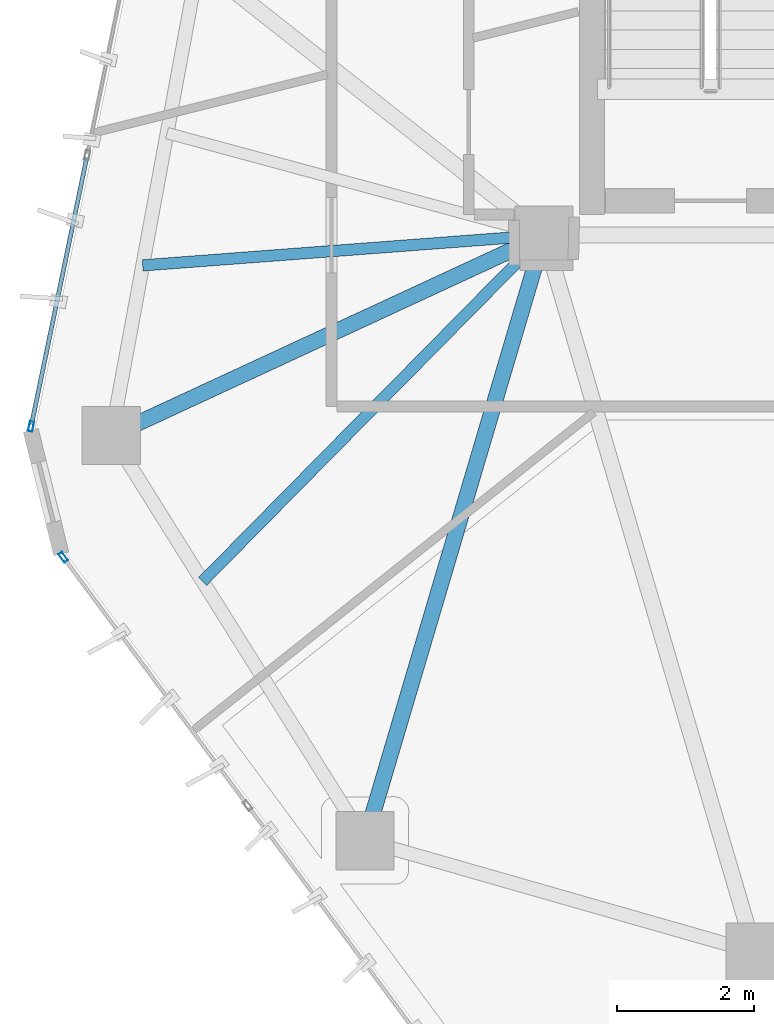
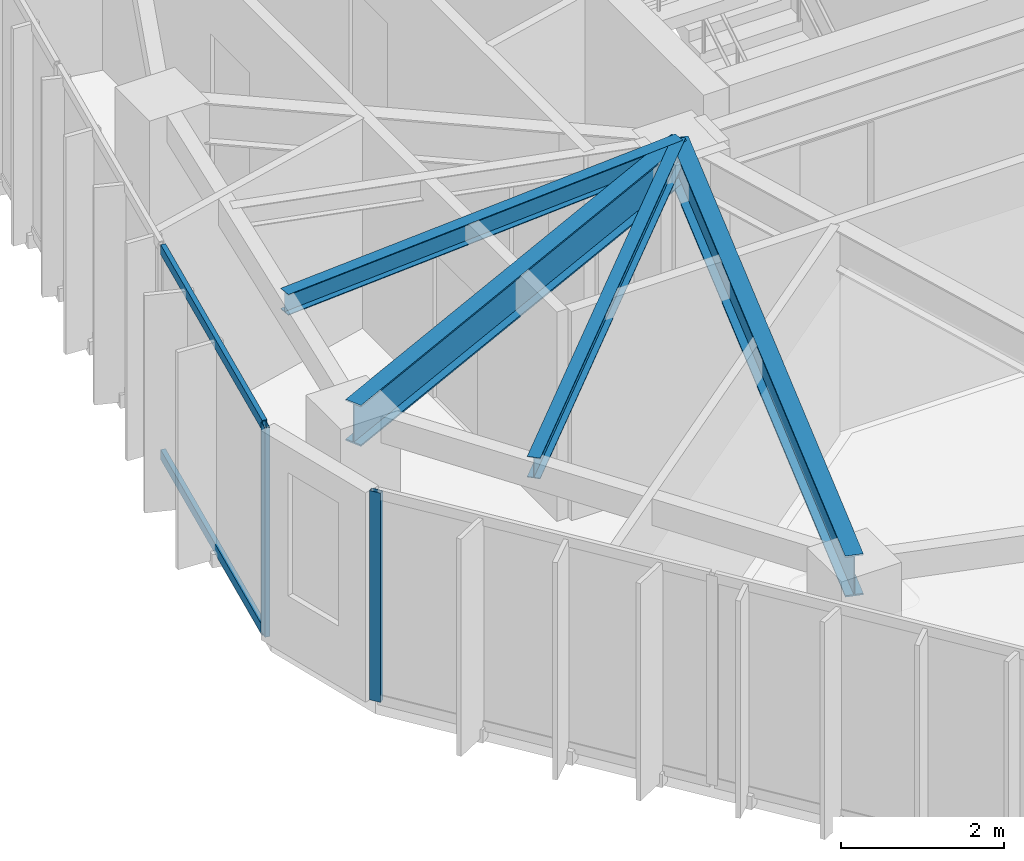
# One storey, part 4 of 20: 4 beams, 4 members, 2 elements without a shape of their own.
"""IFC4 building model written with IfcOpenShell, lengths in metres."""

from ifc_helpers import new_model, si_unit, direction, frame, origin, origin_2d, place, context, subcontext, project, spatial, hollow_rectangle, i_section, extrude, source, transform, mapped, material, layer, layer_set, material_profile, profile_set, type_object, type_shapes, element, aggregate, save


model = new_model("IFC4")

# Units and contexts
model_context = context("Model", 3, precision=1e-05, world=origin(), true_north=direction((0.0, 1.0)))
body_context = subcontext(model_context, "Body", "Model", "MODEL_VIEW")
ifc_project = project(units=[si_unit("LENGTHUNIT", "METRE"), si_unit("AREAUNIT", "SQUARE_METRE"), si_unit("VOLUMEUNIT", "CUBIC_METRE"), si_unit("PLANEANGLEUNIT", "RADIAN"), si_unit("MASSUNIT", "GRAM", prefix="KILO")], contexts=[model_context])

# Site, building, storey
site_placement = place(None, origin())
site = spatial("IfcSite", under=ifc_project, at=site_placement, CompositionType="ELEMENT")
building_placement = place(site_placement, origin())
building = spatial("IfcBuilding", under=site, at=building_placement, Name="Talar Marvaseh", CompositionType="ELEMENT")
storey_placement = place(building_placement, frame((0.0, 0.0, 244.199951171875)))
storey = spatial("IfcBuildingStorey", under=building, at=storey_placement, Name="L64", CompositionType="ELEMENT", Elevation=244.199951171875)

# Beams
ifc_material_1 = material(Name="Steel S355", Category="steel")
ifc_material_profile_1 = material_profile(ifc_material_1, i_section(OverallWidth=0.166015625, OverallDepth=0.31298828125, WebThickness=0.006591796875, FlangeThickness=0.01123046875, at=origin_2d()), Name="W310x45")
ifc_profile_set_1 = profile_set([ifc_material_profile_1], Name="Steel S355")
beam_type_1 = type_object("IfcBeamType", Name="Zone 3 Secondary Floor Joist W310x45", PredefinedType="JOIST", material=ifc_profile_set_1)
beam_1_placement = place(storey_placement, frame((12.845703125, 25.05859375, 2.983642578125), z_axis=(0.997169535009, 0.075185892627, 0.0), x_axis=(-0.075185892627, 0.997169535009, 0.0)))
element("IfcBeam", 1, at=beam_1_placement, inside=storey, type_object=beam_type_1, Name="L64 Zone 3 Secondary Floor Joist W310x45", PredefinedType="JOIST", context=body_context, shape_type="SweptSolid", body=[
    extrude(i_section(OverallWidth=0.166015625, OverallDepth=0.31298828125, WebThickness=0.006591796875, FlangeThickness=0.01123046875, at=origin_2d()), origin(), (0.0, 0.0, 1.0), 5.870849609375),
])
beam_2_placement = place(storey_placement, frame((13.72021484375, 20.44970703125, 2.983642578125), z_axis=(0.702115238584, 0.712063334085, 0.0), x_axis=(-0.712063334085, 0.702115238584, 0.0)))
element("IfcBeam", 2, at=beam_2_placement, inside=storey, type_object=beam_type_1, Name="L64 Zone 3 Secondary Floor Joist W310x45", PredefinedType="JOIST", context=body_context, shape_type="SweptSolid", body=[
    extrude(i_section(OverallWidth=0.166015625, OverallDepth=0.31298828125, WebThickness=0.006591796875, FlangeThickness=0.01123046875, at=origin_2d()), origin(), (0.0, 0.0, 1.0), 7.092529296875),
])
ifc_material_profile_2 = material_profile(ifc_material_1, i_section(OverallWidth=0.22998046875, OverallDepth=0.616943359375, WebThickness=0.01318359375, FlangeThickness=0.022216796875, at=origin_2d()), Name="W610x140")
ifc_profile_set_2 = profile_set([ifc_material_profile_2], Name="Steel S355")
beam_type_2 = type_object("IfcBeamType", Name="Zone 4 Radial Floor Girder W610x140", PredefinedType="BEAM", material=ifc_profile_set_2)
beam_3_placement = place(storey_placement, frame((12.388916015625, 22.576904296875, 2.83154296875), z_axis=(0.907394527995, 0.420279871709, 0.0), x_axis=(-0.420279871709, 0.907394527995, 0.0)))
element("IfcBeam", 3, at=beam_3_placement, inside=storey, type_object=beam_type_2, Name="L64 Zone 4 Radial Floor Girder W610x140", PredefinedType="BEAM", context=body_context, shape_type="SweptSolid", body=[
    extrude(i_section(OverallWidth=0.22998046875, OverallDepth=0.616943359375, WebThickness=0.01318359375, FlangeThickness=0.022216796875, at=origin_2d()), origin(), (0.0, 0.0, 1.0), 6.955078125),
])
beam_4_placement = place(storey_placement, frame((16.0869140625, 16.66796875, 2.83154296875), z_axis=(0.283702937759, 0.958912218666, 0.0), x_axis=(-0.958912218666, 0.283702937759, 0.0)))
element("IfcBeam", 4, at=beam_4_placement, inside=storey, type_object=beam_type_2, Name="L64 Zone 4 Radial Floor Girder W610x140", PredefinedType="BEAM", context=body_context, shape_type="SweptSolid", body=[
    extrude(i_section(OverallWidth=0.22998046875, OverallDepth=0.616943359375, WebThickness=0.01318359375, FlangeThickness=0.022216796875, at=origin_2d()), origin(), (0.0, 0.0, 1.0), 9.21044921875),
])

# Curtain wall, members
ifc_material_2 = material(Name="Architectural Aluminium", Category="aluminium")
ifc_layer = layer(ifc_material_2, 0.179931640625)
ifc_layer_set = layer_set([ifc_layer], Name="Architectural Aluminium")
curtain_wall_type = type_object("IfcCurtainWallType", Name="Unitised High-Wind Sky Curtain Wall Z4", PredefinedType="NOTDEFINED", material=ifc_layer_set)
curtain_wall_1_placement = place(storey_placement, origin())
curtain_wall_1 = element("IfcCurtainWall", 5, at=curtain_wall_1_placement, inside=storey, type_object=curtain_wall_type, Name="L64 Unitised High-Wind Sky Curtain Wall Z4", PredefinedType="NOTDEFINED")
ifc_material_profile_3 = material_profile(ifc_material_2, hollow_rectangle(XDim=0.06494140625, YDim=0.14990234375, WallThickness=0.00390625, at=origin_2d()), Name="RHS150x65x4")
ifc_profile_set_3 = profile_set([ifc_material_profile_3], Name="Architectural Aluminium")
member_type_1 = type_object("IfcMemberType", Name="Unitised Curtain Wall Slim Transom RHS150x65x4", PredefinedType="USERDEFINED", material=ifc_profile_set_3)
shared_shape_1 = source(origin(), body_context, "Body", "SweptSolid", [
    extrude(hollow_rectangle(XDim=0.06494140625, YDim=0.14990234375, WallThickness=0.00390625, at=origin_2d()), origin(), (0.0, 0.0, 1.0), 3.97119140625),
])
type_shapes(member_type_1, [shared_shape_1])
member_1_placement = place(storey_placement, frame((11.2255859375, 22.741943359375, 0.032470703125), z_axis=(0.202508023599, 0.979280603493, 0.0), x_axis=(-0.979280603493, 0.202508023599, 0.0)))
member_1 = element("IfcMember", 6, at=member_1_placement, type_object=member_type_1, Name="CW-Z4 transom 1.1", ObjectType="TRANSOM", PredefinedType="USERDEFINED", context=body_context, shape_type="MappedRepresentation", body=[
    mapped(shared_shape_1, transform((0.0, 0.0, 0.0), x_axis=(1.0, 0.0, 0.0), y_axis=(0.0, 1.0, 0.0), z_axis=(0.0, 0.0, 1.0), scale=1.0)),
])
member_2_placement = place(storey_placement, frame((11.2255859375, 22.741943359375, 3.107666015625), z_axis=(0.202508023599, 0.979280603493, 0.0), x_axis=(-0.979280603493, 0.202508023599, 0.0)))
member_2 = element("IfcMember", 7, at=member_2_placement, type_object=member_type_1, Name="CW-Z4 transom 1.2", ObjectType="TRANSOM", PredefinedType="USERDEFINED", context=body_context, shape_type="MappedRepresentation", body=[
    mapped(shared_shape_1, transform((0.0, 0.0, 0.0), x_axis=(1.0, 0.0, 0.0), y_axis=(0.0, 1.0, 0.0), z_axis=(0.0, 0.0, 1.0), scale=1.0)),
])

# Curtain wall, member
curtain_wall_2_placement = place(storey_placement, origin())
curtain_wall_2 = element("IfcCurtainWall", 8, at=curtain_wall_2_placement, inside=storey, type_object=curtain_wall_type, Name="L64 Unitised High-Wind Sky Curtain Wall Z4", PredefinedType="NOTDEFINED")
ifc_material_profile_4 = material_profile(ifc_material_2, hollow_rectangle(XDim=0.06494140625, YDim=0.14990234375, WallThickness=0.00390625, at=origin_2d()), Name="RHS150x65x4")
ifc_profile_set_4 = profile_set([ifc_material_profile_4], Name="Architectural Aluminium")
member_type_2 = type_object("IfcMemberType", Name="Unitised Curtain Wall Slim Mullion RHS150x65x4", PredefinedType="MULLION", material=ifc_profile_set_4)
shared_shape_2 = source(origin(), body_context, "Body", "SweptSolid", [
    extrude(hollow_rectangle(XDim=0.06494140625, YDim=0.14990234375, WallThickness=0.00390625, at=origin_2d()), origin(), (0.0, 0.0, 1.0), 3.14013671875),
])
type_shapes(member_type_2, [shared_shape_2])
member_3_placement = place(storey_placement, frame((11.687744140625, 20.802001953125, 0.0), z_axis=(0.0, 0.0, 1.0), x_axis=(-0.802853874427, -0.596175860227, 0.0)))
member_3 = element("IfcMember", 9, at=member_3_placement, type_object=member_type_2, Name="CW-Z4 mullion 4", PredefinedType="MULLION", context=body_context, shape_type="MappedRepresentation", body=[
    mapped(shared_shape_2, transform((0.0, 0.0, 0.0), x_axis=(1.0, 0.0, 0.0), y_axis=(0.0, 1.0, 0.0), z_axis=(0.0, 0.0, 1.0), scale=1.0)),
])
aggregate(curtain_wall_2, [member_3])

# Member
member_4_placement = place(storey_placement, frame((11.218994140625, 22.7099609375, 0.0), z_axis=(0.0, 0.0, 1.0), x_axis=(-0.979286026612, 0.202481796914, 0.0)))
member_4 = element("IfcMember", 10, at=member_4_placement, type_object=member_type_2, Name="CW-Z4 mullion 1", PredefinedType="MULLION", context=body_context, shape_type="MappedRepresentation", body=[
    mapped(shared_shape_2, transform((0.0, 0.0, 0.0), x_axis=(1.0, 0.0, 0.0), y_axis=(0.0, 1.0, 0.0), z_axis=(0.0, 0.0, 1.0), scale=1.0)),
])

aggregate(curtain_wall_1, [member_4, member_1, member_2])

save(model, "model.ifc")
